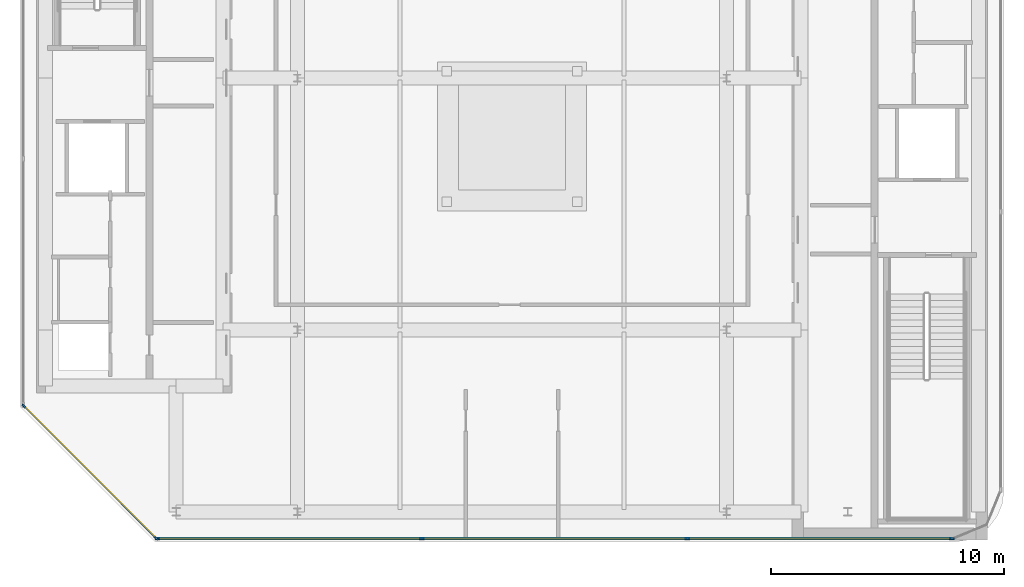
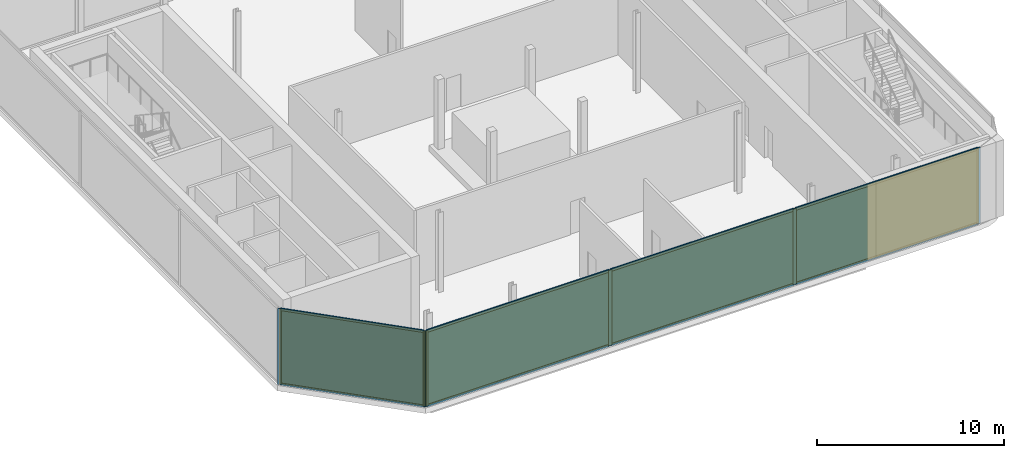
# One storey, part 7 of 14: 14 members, 4 plates, 2 curtain walls.
"""IFC4 building model written with IfcOpenShell, lengths in metres."""

from ifc_helpers import new_model, si_unit, direction, frame, frame_2d, origin, origin_2d, place, context, subcontext, project, spatial, rectangle, extrude, material, layer, layer_set, material_profile, profile_set, type_object, element, aggregate, save


model = new_model("IFC4")

# Units and contexts
model_context = context("Model", 3, precision=1e-05, world=origin(), true_north=direction((0.0, 1.0)))
body_context = subcontext(model_context, "Body", "Model", "MODEL_VIEW")
ifc_project = project(units=[si_unit("LENGTHUNIT", "METRE"), si_unit("AREAUNIT", "SQUARE_METRE"), si_unit("VOLUMEUNIT", "CUBIC_METRE"), si_unit("PLANEANGLEUNIT", "RADIAN"), si_unit("MASSUNIT", "GRAM", prefix="KILO")], contexts=[model_context])

# Member
ifc_material_1 = material(Name="Anodised Bronze Aluminium 6063-T6", Category="aluminium")
ifc_material_profile_1 = material_profile(ifc_material_1, rectangle(XDim=0.074951171875, YDim=0.2099609375, at=origin_2d()))
ifc_profile_set_1 = profile_set([ifc_material_profile_1], Name="Anodised Bronze Aluminium 6063-T6")
member_type_1 = type_object("IfcMemberType", Name="CW-CRN Mullion 75x210", PredefinedType="MULLION", material=ifc_profile_set_1)
site_placement = place(None, origin())
building_placement = place(site_placement, origin())
storey_placement = place(building_placement, frame((0.0, 0.0, 325.199951171875)))
member_1_placement = place(storey_placement, frame((18.853271484375, -19.760009765625, 0.0), z_axis=(0.0, 0.0, 1.0), x_axis=(0.0, -1.0, 0.0)))
member_1 = element("IfcMember", 1, at=member_1_placement, type_object=member_type_1, Name="CW-CRN mullion 1", PredefinedType="MULLION", context=body_context, shape_type="SweptSolid", body=[
    extrude(rectangle(XDim=0.074951171875, YDim=0.2099609375, at=origin_2d()), origin(), (0.0, 0.0, 1.0), 4.93994140625),
])

member_2_placement = place(storey_placement, frame((7.51318359375, -19.760009765625, 0.0), z_axis=(0.0, 0.0, 1.0), x_axis=(0.0, -1.0, 0.0)))
member_2 = element("IfcMember", 2, at=member_2_placement, type_object=member_type_1, Name="CW-CRN mullion 2", PredefinedType="MULLION", context=body_context, shape_type="SweptSolid", body=[
    extrude(rectangle(XDim=0.074951171875, YDim=0.2099609375, at=origin_2d()), origin(), (0.0, 0.0, 1.0), 4.93994140625),
])

member_3_placement = place(storey_placement, frame((-3.864501953125, -19.760009765625, 0.0), z_axis=(0.0, 0.0, 1.0), x_axis=(0.0, -1.0, 0.0)))
member_3 = element("IfcMember", 3, at=member_3_placement, type_object=member_type_1, Name="CW-CRN mullion 3", PredefinedType="MULLION", context=body_context, shape_type="SweptSolid", body=[
    extrude(rectangle(XDim=0.074951171875, YDim=0.2099609375, at=origin_2d()), origin(), (0.0, 0.0, 1.0), 4.93994140625),
])

member_4_placement = place(storey_placement, frame((-15.20458984375, -19.760009765625, 0.0), z_axis=(0.0, 0.0, 1.0), x_axis=(0.0, -1.0, 0.0)))
member_4 = element("IfcMember", 4, at=member_4_placement, type_object=member_type_1, Name="CW-CRN mullion 4", PredefinedType="MULLION", context=body_context, shape_type="SweptSolid", body=[
    extrude(rectangle(XDim=0.074951171875, YDim=0.2099609375, at=origin_2d()), origin(), (0.0, 0.0, 1.0), 4.93994140625),
])

ifc_material_2 = material(Name="Anodised Bronze Aluminium 6063-T6", Category="aluminium")
ifc_material_profile_2 = material_profile(ifc_material_2, rectangle(XDim=0.074951171875, YDim=0.1650390625, at=origin_2d()))
ifc_profile_set_2 = profile_set([ifc_material_profile_2], Name="Anodised Bronze Aluminium 6063-T6")
member_type_2 = type_object("IfcMemberType", Name="CW-CRN Transom 75x165", PredefinedType="USERDEFINED", material=ifc_profile_set_2)
member_5_placement = place(storey_placement, frame((18.81591796875, -19.760009765625, 0.03759765625), z_axis=(-1.0, 0.0, 0.0), x_axis=(0.0, -1.0, 0.0)))
member_5 = element("IfcMember", 5, at=member_5_placement, type_object=member_type_2, Name="CW-CRN transom 1.1", ObjectType="TRANSOM", PredefinedType="USERDEFINED", context=body_context, shape_type="SweptSolid", body=[
    extrude(rectangle(XDim=0.074951171875, YDim=0.1650390625, at=origin_2d()), origin(), (0.0, 0.0, 1.0), 11.26513671875),
])

member_6_placement = place(storey_placement, frame((18.81591796875, -19.760009765625, 4.902587890625), z_axis=(-1.0, 0.0, 0.0), x_axis=(0.0, -1.0, 0.0)))
member_6 = element("IfcMember", 6, at=member_6_placement, type_object=member_type_2, Name="CW-CRN transom 1.2", ObjectType="TRANSOM", PredefinedType="USERDEFINED", context=body_context, shape_type="SweptSolid", body=[
    extrude(rectangle(XDim=0.074951171875, YDim=0.1650390625, at=origin_2d()), origin(), (0.0, 0.0, 1.0), 11.26513671875),
])

member_7_placement = place(storey_placement, frame((7.4755859375, -19.760009765625, 0.03759765625), z_axis=(-1.0, 0.0, 0.0), x_axis=(0.0, -1.0, 0.0)))
member_7 = element("IfcMember", 7, at=member_7_placement, type_object=member_type_2, Name="CW-CRN transom 2.1", ObjectType="TRANSOM", PredefinedType="USERDEFINED", context=body_context, shape_type="SweptSolid", body=[
    extrude(rectangle(XDim=0.074951171875, YDim=0.1650390625, at=origin_2d()), origin(), (0.0, 0.0, 1.0), 11.302490234375),
])

member_8_placement = place(storey_placement, frame((7.4755859375, -19.760009765625, 4.902587890625), z_axis=(-1.0, 0.0, 0.0), x_axis=(0.0, -1.0, 0.0)))
member_8 = element("IfcMember", 8, at=member_8_placement, type_object=member_type_2, Name="CW-CRN transom 2.2", ObjectType="TRANSOM", PredefinedType="USERDEFINED", context=body_context, shape_type="SweptSolid", body=[
    extrude(rectangle(XDim=0.074951171875, YDim=0.1650390625, at=origin_2d()), origin(), (0.0, 0.0, 1.0), 11.302490234375),
])

member_9_placement = place(storey_placement, frame((-3.90185546875, -19.760009765625, 0.03759765625), z_axis=(-1.0, 0.0, 0.0), x_axis=(0.0, -1.0, 0.0)))
member_9 = element("IfcMember", 9, at=member_9_placement, type_object=member_type_2, Name="CW-CRN transom 3.1", ObjectType="TRANSOM", PredefinedType="USERDEFINED", context=body_context, shape_type="SweptSolid", body=[
    extrude(rectangle(XDim=0.074951171875, YDim=0.1650390625, at=origin_2d()), origin(), (0.0, 0.0, 1.0), 11.26513671875),
])

member_10_placement = place(storey_placement, frame((-3.90185546875, -19.760009765625, 4.902587890625), z_axis=(-1.0, 0.0, 0.0), x_axis=(0.0, -1.0, 0.0)))
member_10 = element("IfcMember", 10, at=member_10_placement, type_object=member_type_2, Name="CW-CRN transom 3.2", ObjectType="TRANSOM", PredefinedType="USERDEFINED", context=body_context, shape_type="SweptSolid", body=[
    extrude(rectangle(XDim=0.074951171875, YDim=0.1650390625, at=origin_2d()), origin(), (0.0, 0.0, 1.0), 11.26513671875),
])

ifc_material_3 = material(Name="Anodised Bronze Aluminium 6063-T6", Category="aluminium")
ifc_material_profile_3 = material_profile(ifc_material_3, rectangle(XDim=0.070068359375, YDim=0.18994140625, at=origin_2d()))
ifc_profile_set_3 = profile_set([ifc_material_profile_3], Name="Anodised Bronze Aluminium 6063-T6")
member_type_3 = type_object("IfcMemberType", Name="CW-SLC Mullion 70x190", PredefinedType="MULLION", material=ifc_profile_set_3)
member_11_placement = place(storey_placement, frame((-15.266845703125, -19.7353515625, 0.0), z_axis=(0.0, 0.0, 1.0), x_axis=(-0.707106781187, -0.707106781187, 0.0)))
member_11 = element("IfcMember", 11, at=member_11_placement, type_object=member_type_3, Name="CW-SLC mullion 1", PredefinedType="MULLION", context=body_context, shape_type="SweptSolid", body=[
    extrude(rectangle(XDim=0.070068359375, YDim=0.18994140625, at=origin_2d()), origin(), (0.0, 0.0, 1.0), 4.93994140625),
])

member_12_placement = place(storey_placement, frame((-20.935302734375, -14.066650390625, 0.0), z_axis=(0.0, 0.0, 1.0), x_axis=(-0.707106781187, -0.707106781187, 0.0)))
member_12 = element("IfcMember", 12, at=member_12_placement, type_object=member_type_3, Name="CW-SLC mullion 2", PredefinedType="MULLION", context=body_context, shape_type="SweptSolid", body=[
    extrude(rectangle(XDim=0.070068359375, YDim=0.18994140625, at=origin_2d()), origin(), (0.0, 0.0, 1.0), 4.93994140625),
])

ifc_material_4 = material(Name="Anodised Bronze Aluminium 6063-T6", Category="aluminium")
ifc_material_profile_4 = material_profile(ifc_material_4, rectangle(XDim=0.070068359375, YDim=0.14990234375, at=origin_2d()))
ifc_profile_set_4 = profile_set([ifc_material_profile_4], Name="Anodised Bronze Aluminium 6063-T6")
member_type_4 = type_object("IfcMemberType", Name="CW-SLC Transom 70x150", PredefinedType="USERDEFINED", material=ifc_profile_set_4)
member_13_placement = place(storey_placement, frame((-15.29150390625, -19.71044921875, 0.03515625), z_axis=(-0.707106781187, 0.707106781187, 0.0), x_axis=(-0.707106781187, -0.707106781187, 0.0)))
member_13 = element("IfcMember", 13, at=member_13_placement, type_object=member_type_4, Name="CW-SLC transom 1.1", ObjectType="TRANSOM", PredefinedType="USERDEFINED", context=body_context, shape_type="SweptSolid", body=[
    extrude(rectangle(XDim=0.070068359375, YDim=0.14990234375, at=origin_2d()), origin(), (0.0, 0.0, 1.0), 7.9462890625),
])

member_14_placement = place(storey_placement, frame((-15.29150390625, -19.71044921875, 4.905029296875), z_axis=(-0.707106781187, 0.707106781187, 0.0), x_axis=(-0.707106781187, -0.707106781187, 0.0)))
member_14 = element("IfcMember", 14, at=member_14_placement, type_object=member_type_4, Name="CW-SLC transom 1.2", ObjectType="TRANSOM", PredefinedType="USERDEFINED", context=body_context, shape_type="SweptSolid", body=[
    extrude(rectangle(XDim=0.070068359375, YDim=0.14990234375, at=origin_2d()), origin(), (0.0, 0.0, 1.0), 7.9462890625),
])

# Plate
ifc_material_5 = material(Name="Low-E Solar Control Laminated Glass", Category="glass")
ifc_layer_1 = layer(ifc_material_5, 0.035888671875, Name="Low-E Solar Control Laminated Glass")
ifc_layer_set_1 = layer_set([ifc_layer_1], Name="Low-E Solar Control Laminated Glass")
plate_type_1 = type_object("IfcPlateType", Name="CW-CRN Low-E Double Glazed Panel 36mm", PredefinedType="CURTAIN_PANEL", material=ifc_layer_set_1)
plate_1_placement = place(storey_placement, frame((13.183349609375, -19.760009765625, 0.074951171875), z_axis=(0.0, 0.0, 1.0), x_axis=(-1.0, 0.0, 0.0)))
plate_1 = element("IfcPlate", 15, at=plate_1_placement, type_object=plate_type_1, Name="CW-CRN panel 1.1", PredefinedType="CURTAIN_PANEL", context=body_context, shape_type="SweptSolid", body=[
    extrude(rectangle(XDim=11.26513671875, YDim=0.035888671875, at=origin_2d()), origin(), (0.0, 0.0, 1.0), 4.7900390625),
])

plate_2_placement = place(storey_placement, frame((1.824462890625, -19.760009765625, 0.074951171875), z_axis=(0.0, 0.0, 1.0), x_axis=(-1.0, 0.0, 0.0)))
plate_2 = element("IfcPlate", 16, at=plate_2_placement, type_object=plate_type_1, Name="CW-CRN panel 2.1", PredefinedType="CURTAIN_PANEL", context=body_context, shape_type="SweptSolid", body=[
    extrude(rectangle(XDim=11.302490234375, YDim=0.035888671875, at=origin_2d()), origin(), (0.0, 0.0, 1.0), 4.7900390625),
])

plate_3_placement = place(storey_placement, frame((-9.534423828125, -19.760009765625, 0.074951171875), z_axis=(0.0, 0.0, 1.0), x_axis=(-1.0, 0.0, 0.0)))
plate_3 = element("IfcPlate", 17, at=plate_3_placement, type_object=plate_type_1, Name="CW-CRN panel 3.1", PredefinedType="CURTAIN_PANEL", context=body_context, shape_type="SweptSolid", body=[
    extrude(rectangle(XDim=11.26513671875, YDim=0.035888671875, at=origin_2d()), origin(), (0.0, 0.0, 1.0), 4.7900390625),
])

ifc_material_6 = material(Name="Low-E Solar Control Laminated Glass", Category="glass")
ifc_layer_2 = layer(ifc_material_6, 0.033935546875, Name="Low-E Solar Control Laminated Glass")
ifc_layer_set_2 = layer_set([ifc_layer_2], Name="Low-E Solar Control Laminated Glass")
plate_type_2 = type_object("IfcPlateType", Name="CW-SLC Low-E Double Glazed Panel 34mm", PredefinedType="CURTAIN_PANEL", material=ifc_layer_set_2)
plate_4_placement = place(storey_placement, frame((-18.10107421875, -16.90087890625, 0.06982421875), z_axis=(0.0, 0.0, 1.0), x_axis=(-0.707106781187, 0.707106781187, 0.0)))
plate_4 = element("IfcPlate", 18, at=plate_4_placement, type_object=plate_type_2, Name="CW-SLC panel 1.1", PredefinedType="CURTAIN_PANEL", context=body_context, shape_type="SweptSolid", body=[
    extrude(rectangle(XDim=7.946533203125, YDim=0.033935546875, at=origin_2d()), origin(), (0.0, 0.0, 1.0), 4.800048828125),
])

# Site, building, storey
site = spatial("IfcSite", under=ifc_project, at=site_placement, CompositionType="ELEMENT")
building = spatial("IfcBuilding", under=site, at=building_placement, Name="Khairoan Windgate Tower", CompositionType="ELEMENT")
storey = spatial("IfcBuildingStorey", under=building, at=storey_placement, Name="L78", CompositionType="ELEMENT", Elevation=325.199951171875)

# Curtain wall
ifc_material_7 = material(Name="Anodised Bronze Aluminium 6063-T6", Category="aluminium")
ifc_layer_3 = layer(ifc_material_7, 0.2099609375, Name="Anodised Bronze Aluminium 6063-T6")
ifc_layer_set_3 = layer_set([ifc_layer_3], Name="Anodised Bronze Aluminium 6063-T6")
curtain_wall_type_1 = type_object("IfcCurtainWallType", Name="Crown Observation and Vitrine Curtain Wall CW-CRN", PredefinedType="NOTDEFINED", material=ifc_layer_set_3)
curtain_wall_1_placement = place(storey_placement, frame((18.890869140625, -19.760009765625, 0.0), z_axis=(0.0, 0.0, 1.0), x_axis=(-1.0, 0.0, 0.0)))
curtain_wall_1 = element("IfcCurtainWall", 19, at=curtain_wall_1_placement, inside=storey, type_object=curtain_wall_type_1, Name="L78 Unitised Curtain Wall 1", PredefinedType="NOTDEFINED", context=body_context, shape_type="SweptSolid", body=[
    extrude(rectangle(XDim=34.1328125, YDim=0.010009765625, at=frame_2d((17.06640625, 0.0))), origin(), (0.0, 0.0, 1.0), 4.93994140625),
])

aggregate(curtain_wall_1, [member_1, member_2, member_3, member_4, member_5, member_6, plate_1, member_7, member_8, plate_2, member_9, member_10, plate_3])

ifc_material_8 = material(Name="Anodised Bronze Aluminium 6063-T6", Category="aluminium")
ifc_layer_4 = layer(ifc_material_8, 0.18994140625, Name="Anodised Bronze Aluminium 6063-T6")
ifc_layer_set_4 = layer_set([ifc_layer_4], Name="Anodised Bronze Aluminium 6063-T6")
curtain_wall_type_2 = type_object("IfcCurtainWallType", Name="Diagonal Corner-Slice Facet Curtain Wall CW-SLC", PredefinedType="NOTDEFINED", material=ifc_layer_set_4)
curtain_wall_2_placement = place(storey_placement, frame((-15.241943359375, -19.760009765625, 0.0), z_axis=(0.0, 0.0, 1.0), x_axis=(-0.707106781187, 0.707106781187, 0.0)))
curtain_wall_2 = element("IfcCurtainWall", 20, at=curtain_wall_2_placement, inside=storey, type_object=curtain_wall_type_2, Name="L78 Crystal Slice Curtain Wall 2", PredefinedType="NOTDEFINED", context=body_context, shape_type="SweptSolid", body=[
    extrude(rectangle(XDim=8.08642578125, YDim=0.010009765625, at=frame_2d((4.043212890625, 0.0))), origin(), (0.0, 0.0, 1.0), 4.93994140625),
])

aggregate(curtain_wall_2, [member_11, member_12, member_13, member_14, plate_4])

save(model, "model.ifc")
